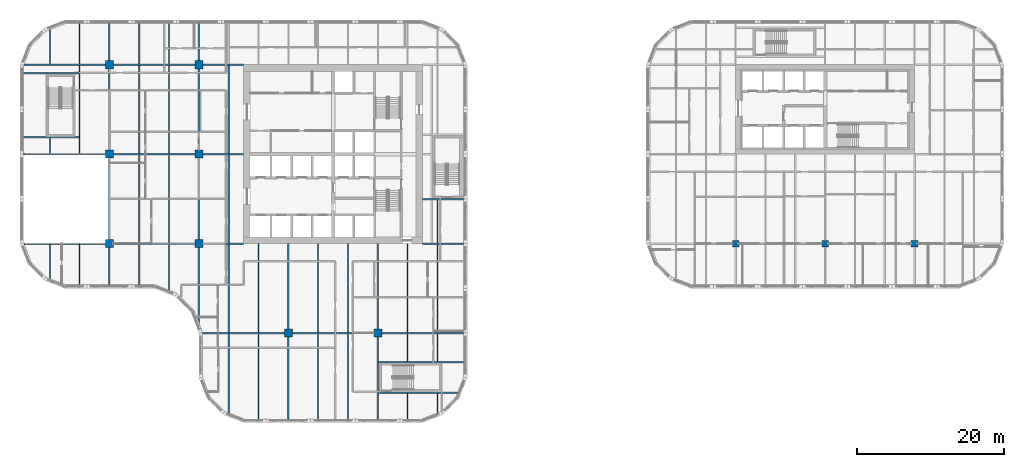
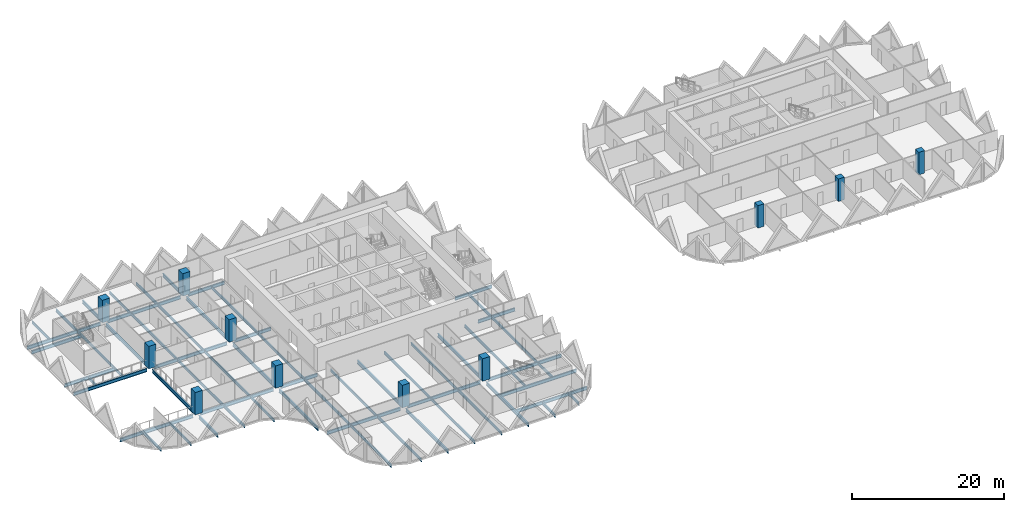
# One storey, part 1 of 19: 61 beams, 11 columns.
"""IFC4 building model written with IfcOpenShell, lengths in metres."""

from ifc_helpers import new_model, si_unit, direction, frame, origin, origin_2d, place, context, subcontext, project, spatial, rectangle, i_section, extrude, material, material_profile, profile_set, type_object, element, save


model = new_model("IFC4")

# Units and contexts
model_context = context("Model", 3, precision=1e-05, world=origin(), true_north=direction((0.0, 1.0)))
body_context = subcontext(model_context, "Body", "Model", "MODEL_VIEW")
ifc_project = project(units=[si_unit("LENGTHUNIT", "METRE"), si_unit("AREAUNIT", "SQUARE_METRE"), si_unit("VOLUMEUNIT", "CUBIC_METRE"), si_unit("PLANEANGLEUNIT", "RADIAN"), si_unit("MASSUNIT", "GRAM", prefix="KILO")], contexts=[model_context])

# Site, building, storey
site_placement = place(None, origin())
site = spatial("IfcSite", under=ifc_project, at=site_placement, CompositionType="ELEMENT")
building_placement = place(site_placement, origin())
building = spatial("IfcBuilding", under=site, at=building_placement, Name="Tessera Gate Towers", CompositionType="ELEMENT")
storey_placement = place(building_placement, frame((0.0, 0.0, 25.800048828125)))
storey = spatial("IfcBuildingStorey", under=building, at=storey_placement, Name="L05", CompositionType="ELEMENT", Elevation=25.800048828125)

# Columns
ifc_material_1 = material(Name="Concrete C70/85", Category="concrete")
ifc_material_profile_1 = material_profile(ifc_material_1, rectangle(XDim=1.10009765625, YDim=1.10009765625, at=origin_2d()), Name="RC 1100x1100")
ifc_profile_set_1 = profile_set([ifc_material_profile_1], Name="Concrete C70/85")
column_type_1 = type_object("IfcColumnType", Name="COLUMN RC 1100x1100", PredefinedType="COLUMN", material=ifc_profile_set_1)
for number, where, z_axis, x_axis, name in (
    (1, (12.199951171875, 24.39990234375, 0.0), (0.0, 0.0, 1.0), (1.0, 0.0, 0.0), "T1-COL-2C-L05"),
    (2, (12.199951171875, 36.60009765625, 0.0), (0.0, 0.0, 1.0), (1.0, 0.0, 0.0), "T1-COL-2D-L05"),
    (3, (12.199951171875, 48.800048828125, 0.0), (0.0, 0.0, 1.0), (1.0, 0.0, 0.0), "T1-COL-2E-L05"),
    (4, (24.39990234375, 24.39990234375, 0.0), (0.0, 0.0, 1.0), (1.0, 0.0, 0.0), "T1-COL-3C-L05"),
    (5, (24.39990234375, 36.60009765625, 0.0), (0.0, 0.0, 1.0), (1.0, 0.0, 0.0), "T1-COL-3D-L05"),
    (6, (24.39990234375, 48.800048828125, 0.0), (0.0, 0.0, 1.0), (1.0, 0.0, 0.0), "T1-COL-3E-L05"),
    (7, (36.60009765625, 12.199951171875, 0.0), (0.0, 0.0, 1.0), (1.0, 0.0, 0.0), "T1-COL-4B-L05"),
    (8, (48.800048828125, 12.199951171875, 0.0), (0.0, 0.0, 1.0), (1.0, 0.0, 0.0), "T1-COL-5B-L05"),
):
    element("IfcColumn", number, at=place(storey_placement, frame(where, z_axis=z_axis, x_axis=x_axis)), inside=storey, type_object=column_type_1, Name=name, PredefinedType="COLUMN", context=body_context, shape_type="SweptSolid", body=[
        extrude(rectangle(XDim=1.10009765625, YDim=1.10009765625, at=origin_2d()), origin(), (0.0, 0.0, 1.0), 3.599853515625),
    ])
ifc_material_2 = material(Name="Concrete C70/85", Category="concrete")
ifc_material_profile_2 = material_profile(ifc_material_2, rectangle(XDim=0.89990234375, YDim=0.89990234375, at=origin_2d()), Name="RC 900x900")
ifc_profile_set_2 = profile_set([ifc_material_profile_2], Name="Concrete C70/85")
column_type_2 = type_object("IfcColumnType", Name="COLUMN RC 900x900", PredefinedType="COLUMN", material=ifc_profile_set_2)
for number, where, z_axis, x_axis, name in (
    (9, (97.60009765625, 24.39990234375, 0.0), (0.0, 0.0, 1.0), (1.0, 0.0, 0.0), "T2-COL-9C-L05"),
    (10, (109.800048828125, 24.39990234375, 0.0), (0.0, 0.0, 1.0), (1.0, 0.0, 0.0), "T2-COL-10C-L05"),
    (11, (122.0, 24.39990234375, 0.0), (0.0, 0.0, 1.0), (1.0, 0.0, 0.0), "T2-COL-11C-L05"),
):
    element("IfcColumn", number, at=place(storey_placement, frame(where, z_axis=z_axis, x_axis=x_axis)), inside=storey, type_object=column_type_2, Name=name, PredefinedType="COLUMN", context=body_context, shape_type="SweptSolid", body=[
        extrude(rectangle(XDim=0.89990234375, YDim=0.89990234375, at=origin_2d()), origin(), (0.0, 0.0, 1.0), 3.599853515625),
    ])

# Beams
ifc_material_3 = material(Name="Steel 350W", Category="steel")
ifc_material_profile_3 = material_profile(ifc_material_3, i_section(OverallWidth=0.208984375, OverallDepth=0.532958984375, WebThickness=0.01025390625, FlangeThickness=0.015625, at=origin_2d()), Name="W530x92")
ifc_profile_set_3 = profile_set([ifc_material_profile_3], Name="Steel 350W")
beam_type_1 = type_object("IfcBeamType", Name="FLOOR GIRDER W530x92", PredefinedType="BEAM", material=ifc_profile_set_3)
beam_1_placement = place(storey_placement, frame((24.89892578125, 12.199951171875, -0.466552734375), z_axis=(1.0, 0.0, 0.0), x_axis=(0.0, 1.0, 0.0)))
element("IfcBeam", 12, at=beam_1_placement, inside=storey, type_object=beam_type_1, Name="T1-GD-L05-919", PredefinedType="BEAM", context=body_context, shape_type="SweptSolid", body=[
    extrude(i_section(OverallWidth=0.208984375, OverallDepth=0.532958984375, WebThickness=0.01025390625, FlangeThickness=0.015625, at=origin_2d()), origin(), (0.0, 0.0, 1.0), 11.151123046875),
])
beam_2_placement = place(storey_placement, frame((37.14990234375, 12.199951171875, -0.466552734375), z_axis=(1.0, 0.0, 0.0), x_axis=(0.0, 1.0, 0.0)))
element("IfcBeam", 13, at=beam_2_placement, inside=storey, type_object=beam_type_1, Name="T1-GD-L05-920", PredefinedType="BEAM", context=body_context, shape_type="SweptSolid", body=[
    extrude(i_section(OverallWidth=0.208984375, OverallDepth=0.532958984375, WebThickness=0.01025390625, FlangeThickness=0.015625, at=origin_2d()), origin(), (0.0, 0.0, 1.0), 11.10009765625),
])
beam_3_placement = place(storey_placement, frame((49.35009765625, 12.199951171875, -0.466552734375), z_axis=(1.0, 0.0, 0.0), x_axis=(0.0, 1.0, 0.0)))
element("IfcBeam", 14, at=beam_3_placement, inside=storey, type_object=beam_type_1, Name="T1-GD-L05-921", PredefinedType="BEAM", context=body_context, shape_type="SweptSolid", body=[
    extrude(i_section(OverallWidth=0.208984375, OverallDepth=0.532958984375, WebThickness=0.01025390625, FlangeThickness=0.015625, at=origin_2d()), origin(), (0.0, 0.0, 1.0), 11.15087890625),
])
beam_4_placement = place(storey_placement, frame((0.534912109375, 24.39990234375, -0.466552734375), z_axis=(1.0, 0.0, 0.0), x_axis=(0.0, 1.0, 0.0)))
element("IfcBeam", 15, at=beam_4_placement, inside=storey, type_object=beam_type_1, Name="T1-GD-L05-922", PredefinedType="BEAM", context=body_context, shape_type="SweptSolid", body=[
    extrude(i_section(OverallWidth=0.208984375, OverallDepth=0.532958984375, WebThickness=0.01025390625, FlangeThickness=0.015625, at=origin_2d()), origin(), (0.0, 0.0, 1.0), 11.114990234375),
])
beam_5_placement = place(storey_placement, frame((12.75, 24.39990234375, -0.466552734375), z_axis=(1.0, 0.0, 0.0), x_axis=(0.0, 1.0, 0.0)))
element("IfcBeam", 16, at=beam_5_placement, inside=storey, type_object=beam_type_1, Name="T1-GD-L05-923", PredefinedType="BEAM", context=body_context, shape_type="SweptSolid", body=[
    extrude(i_section(OverallWidth=0.208984375, OverallDepth=0.532958984375, WebThickness=0.01025390625, FlangeThickness=0.015625, at=origin_2d()), origin(), (0.0, 0.0, 1.0), 11.10009765625),
])
beam_6_placement = place(storey_placement, frame((24.949951171875, 24.39990234375, -0.466552734375), z_axis=(1.0, 0.0, 0.0), x_axis=(0.0, 1.0, 0.0)))
element("IfcBeam", 17, at=beam_6_placement, inside=storey, type_object=beam_type_1, Name="T1-GD-L05-924", PredefinedType="BEAM", context=body_context, shape_type="SweptSolid", body=[
    extrude(i_section(OverallWidth=0.208984375, OverallDepth=0.532958984375, WebThickness=0.01025390625, FlangeThickness=0.015625, at=origin_2d()), origin(), (0.0, 0.0, 1.0), 5.549072265625),
])
beam_7_placement = place(storey_placement, frame((54.90087890625, 24.39990234375, -0.466552734375), z_axis=(1.0, 0.0, 0.0), x_axis=(0.0, 1.0, 0.0)))
element("IfcBeam", 18, at=beam_7_placement, inside=storey, type_object=beam_type_1, Name="T1-GD-L05-925", PredefinedType="BEAM", context=body_context, shape_type="SweptSolid", body=[
    extrude(i_section(OverallWidth=0.208984375, OverallDepth=0.532958984375, WebThickness=0.01025390625, FlangeThickness=0.015625, at=origin_2d()), origin(), (0.0, 0.0, 1.0), 5.60009765625),
])
beam_8_placement = place(storey_placement, frame((0.4990234375, 36.60009765625, -0.466552734375), z_axis=(1.0, 0.0, 0.0), x_axis=(0.0, 1.0, 0.0)))
element("IfcBeam", 19, at=beam_8_placement, inside=storey, type_object=beam_type_1, Name="T1-GD-L05-926", PredefinedType="BEAM", context=body_context, shape_type="SweptSolid", body=[
    extrude(i_section(OverallWidth=0.208984375, OverallDepth=0.532958984375, WebThickness=0.01025390625, FlangeThickness=0.015625, at=origin_2d()), origin(), (0.0, 0.0, 1.0), 11.15087890625),
])
beam_9_placement = place(storey_placement, frame((12.75, 36.60009765625, -0.466552734375), z_axis=(1.0, 0.0, 0.0), x_axis=(0.0, 1.0, 0.0)))
element("IfcBeam", 20, at=beam_9_placement, inside=storey, type_object=beam_type_1, Name="T1-GD-L05-927", PredefinedType="BEAM", context=body_context, shape_type="SweptSolid", body=[
    extrude(i_section(OverallWidth=0.208984375, OverallDepth=0.532958984375, WebThickness=0.01025390625, FlangeThickness=0.015625, at=origin_2d()), origin(), (0.0, 0.0, 1.0), 11.10009765625),
])
beam_10_placement = place(storey_placement, frame((24.949951171875, 36.60009765625, -0.466552734375), z_axis=(1.0, 0.0, 0.0), x_axis=(0.0, 1.0, 0.0)))
element("IfcBeam", 21, at=beam_10_placement, inside=storey, type_object=beam_type_1, Name="T1-GD-L05-928", PredefinedType="BEAM", context=body_context, shape_type="SweptSolid", body=[
    extrude(i_section(OverallWidth=0.208984375, OverallDepth=0.532958984375, WebThickness=0.01025390625, FlangeThickness=0.015625, at=origin_2d()), origin(), (0.0, 0.0, 1.0), 5.551025390625),
])
beam_11_placement = place(storey_placement, frame((0.534912109375, 48.800048828125, -0.466552734375), z_axis=(1.0, 0.0, 0.0), x_axis=(0.0, 1.0, 0.0)))
element("IfcBeam", 22, at=beam_11_placement, inside=storey, type_object=beam_type_1, Name="T1-GD-L05-930", PredefinedType="BEAM", context=body_context, shape_type="SweptSolid", body=[
    extrude(i_section(OverallWidth=0.208984375, OverallDepth=0.532958984375, WebThickness=0.01025390625, FlangeThickness=0.015625, at=origin_2d()), origin(), (0.0, 0.0, 1.0), 11.114990234375),
])
beam_12_placement = place(storey_placement, frame((12.75, 48.800048828125, -0.466552734375), z_axis=(1.0, 0.0, 0.0), x_axis=(0.0, 1.0, 0.0)))
element("IfcBeam", 23, at=beam_12_placement, inside=storey, type_object=beam_type_1, Name="T1-GD-L05-931", PredefinedType="BEAM", context=body_context, shape_type="SweptSolid", body=[
    extrude(i_section(OverallWidth=0.208984375, OverallDepth=0.532958984375, WebThickness=0.01025390625, FlangeThickness=0.015625, at=origin_2d()), origin(), (0.0, 0.0, 1.0), 11.10009765625),
])
beam_13_placement = place(storey_placement, frame((24.949951171875, 48.800048828125, -0.466552734375), z_axis=(1.0, 0.0, 0.0), x_axis=(0.0, 1.0, 0.0)))
element("IfcBeam", 24, at=beam_13_placement, inside=storey, type_object=beam_type_1, Name="T1-GD-L05-932", PredefinedType="BEAM", context=body_context, shape_type="SweptSolid", body=[
    extrude(i_section(OverallWidth=0.208984375, OverallDepth=0.532958984375, WebThickness=0.01025390625, FlangeThickness=0.015625, at=origin_2d()), origin(), (0.0, 0.0, 1.0), 5.549072265625),
])
beam_14_placement = place(storey_placement, frame((12.199951171875, 18.799072265625, -0.466552734375), z_axis=(0.0, 1.0, 0.0), x_axis=(-1.0, 0.0, 0.0)))
element("IfcBeam", 25, at=beam_14_placement, inside=storey, type_object=beam_type_1, Name="T1-GD-L05-934", PredefinedType="BEAM", context=body_context, shape_type="SweptSolid", body=[
    extrude(i_section(OverallWidth=0.208984375, OverallDepth=0.532958984375, WebThickness=0.01025390625, FlangeThickness=0.015625, at=origin_2d()), origin(), (0.0, 0.0, 1.0), 5.051025390625),
])
for number, where, z_axis, x_axis, name in (
    (26, (12.199951171875, 24.949951171875, -0.466552734375), (0.0, 1.0, 0.0), (-1.0, 0.0, 0.0), "T1-GD-L05-935"),
    (27, (12.199951171875, 37.14990234375, -0.466552734375), (0.0, 1.0, 0.0), (-1.0, 0.0, 0.0), "T1-GD-L05-936"),
):
    element("IfcBeam", number, at=place(storey_placement, frame(where, z_axis=z_axis, x_axis=x_axis)), inside=storey, type_object=beam_type_1, Name=name, PredefinedType="BEAM", context=body_context, shape_type="SweptSolid", body=[
        extrude(i_section(OverallWidth=0.208984375, OverallDepth=0.532958984375, WebThickness=0.01025390625, FlangeThickness=0.015625, at=origin_2d()), origin(), (0.0, 0.0, 1.0), 11.10009765625),
    ])
beam_15_placement = place(storey_placement, frame((12.199951171875, 49.35009765625, -0.466552734375), z_axis=(0.0, 1.0, 0.0), x_axis=(-1.0, 0.0, 0.0)))
element("IfcBeam", 28, at=beam_15_placement, inside=storey, type_object=beam_type_1, Name="T1-GD-L05-937", PredefinedType="BEAM", context=body_context, shape_type="SweptSolid", body=[
    extrude(i_section(OverallWidth=0.208984375, OverallDepth=0.532958984375, WebThickness=0.01025390625, FlangeThickness=0.015625, at=origin_2d()), origin(), (0.0, 0.0, 1.0), 5.05078125),
])
beam_16_placement = place(storey_placement, frame((24.39990234375, 13.58642578125, -0.466552734375), z_axis=(0.0, 1.0, 0.0), x_axis=(-1.0, 0.0, 0.0)))
element("IfcBeam", 29, at=beam_16_placement, inside=storey, type_object=beam_type_1, Name="T1-GD-L05-938", PredefinedType="BEAM", context=body_context, shape_type="SweptSolid", body=[
    extrude(i_section(OverallWidth=0.208984375, OverallDepth=0.532958984375, WebThickness=0.01025390625, FlangeThickness=0.015625, at=origin_2d()), origin(), (0.0, 0.0, 1.0), 10.263671875),
])
for number, where, z_axis, x_axis, name in (
    (30, (24.39990234375, 24.949951171875, -0.466552734375), (0.0, 1.0, 0.0), (-1.0, 0.0, 0.0), "T1-GD-L05-939"),
    (31, (24.39990234375, 37.14990234375, -0.466552734375), (0.0, 1.0, 0.0), (-1.0, 0.0, 0.0), "T1-GD-L05-940"),
):
    element("IfcBeam", number, at=place(storey_placement, frame(where, z_axis=z_axis, x_axis=x_axis)), inside=storey, type_object=beam_type_1, Name=name, PredefinedType="BEAM", context=body_context, shape_type="SweptSolid", body=[
        extrude(i_section(OverallWidth=0.208984375, OverallDepth=0.532958984375, WebThickness=0.01025390625, FlangeThickness=0.015625, at=origin_2d()), origin(), (0.0, 0.0, 1.0), 11.10009765625),
    ])
beam_17_placement = place(storey_placement, frame((24.39990234375, 49.35009765625, -0.466552734375), z_axis=(0.0, 1.0, 0.0), x_axis=(-1.0, 0.0, 0.0)))
element("IfcBeam", 32, at=beam_17_placement, inside=storey, type_object=beam_type_1, Name="T1-GD-L05-941", PredefinedType="BEAM", context=body_context, shape_type="SweptSolid", body=[
    extrude(i_section(OverallWidth=0.208984375, OverallDepth=0.532958984375, WebThickness=0.01025390625, FlangeThickness=0.015625, at=origin_2d()), origin(), (0.0, 0.0, 1.0), 5.05078125),
])
beam_18_placement = place(storey_placement, frame((36.60009765625, 0.4990234375, -0.466552734375), z_axis=(0.0, 1.0, 0.0), x_axis=(-1.0, 0.0, 0.0)))
element("IfcBeam", 33, at=beam_18_placement, inside=storey, type_object=beam_type_1, Name="T1-GD-L05-942", PredefinedType="BEAM", context=body_context, shape_type="SweptSolid", body=[
    extrude(i_section(OverallWidth=0.208984375, OverallDepth=0.532958984375, WebThickness=0.01025390625, FlangeThickness=0.015625, at=origin_2d()), origin(), (0.0, 0.0, 1.0), 11.15087890625),
])
beam_19_placement = place(storey_placement, frame((36.60009765625, 12.75, -0.466552734375), z_axis=(0.0, 1.0, 0.0), x_axis=(-1.0, 0.0, 0.0)))
element("IfcBeam", 34, at=beam_19_placement, inside=storey, type_object=beam_type_1, Name="T1-GD-L05-943", PredefinedType="BEAM", context=body_context, shape_type="SweptSolid", body=[
    extrude(i_section(OverallWidth=0.208984375, OverallDepth=0.532958984375, WebThickness=0.01025390625, FlangeThickness=0.015625, at=origin_2d()), origin(), (0.0, 0.0, 1.0), 11.64990234375),
])
beam_20_placement = place(storey_placement, frame((48.800048828125, 0.4990234375, -0.466552734375), z_axis=(0.0, 1.0, 0.0), x_axis=(-1.0, 0.0, 0.0)))
element("IfcBeam", 35, at=beam_20_placement, inside=storey, type_object=beam_type_1, Name="T1-GD-L05-944", PredefinedType="BEAM", context=body_context, shape_type="SweptSolid", body=[
    extrude(i_section(OverallWidth=0.208984375, OverallDepth=0.532958984375, WebThickness=0.01025390625, FlangeThickness=0.015625, at=origin_2d()), origin(), (0.0, 0.0, 1.0), 11.15087890625),
])
beam_21_placement = place(storey_placement, frame((48.800048828125, 12.75, -0.466552734375), z_axis=(0.0, 1.0, 0.0), x_axis=(-1.0, 0.0, 0.0)))
element("IfcBeam", 36, at=beam_21_placement, inside=storey, type_object=beam_type_1, Name="T1-GD-L05-945", PredefinedType="BEAM", context=body_context, shape_type="SweptSolid", body=[
    extrude(i_section(OverallWidth=0.208984375, OverallDepth=0.532958984375, WebThickness=0.01025390625, FlangeThickness=0.015625, at=origin_2d()), origin(), (0.0, 0.0, 1.0), 11.64990234375),
])
for number, where, z_axis, x_axis, name in (
    (37, (0.4990234375, 38.8798828125, -0.466552734375), (1.0, 0.0, 0.0), (0.0, 1.0, 0.0), "T1-GD-L05-946"),
    (38, (0.4990234375, 47.6201171875, -0.466552734375), (1.0, 0.0, 0.0), (0.0, 1.0, 0.0), "T1-GD-L05-947"),
):
    element("IfcBeam", number, at=place(storey_placement, frame(where, z_axis=z_axis, x_axis=x_axis)), inside=storey, type_object=beam_type_1, Name=name, PredefinedType="BEAM", context=body_context, shape_type="SweptSolid", body=[
        extrude(i_section(OverallWidth=0.208984375, OverallDepth=0.532958984375, WebThickness=0.01025390625, FlangeThickness=0.015625, at=origin_2d()), origin(), (0.0, 0.0, 1.0), 7.557861328125),
    ])
beam_22_placement = place(storey_placement, frame((48.87646484375, 4.080078125, -0.466552734375), z_axis=(1.0, 0.0, 0.0), x_axis=(0.0, 1.0, 0.0)))
element("IfcBeam", 39, at=beam_22_placement, inside=storey, type_object=beam_type_1, Name="T1-GD-L05-948", PredefinedType="BEAM", context=body_context, shape_type="SweptSolid", body=[
    extrude(i_section(OverallWidth=0.208984375, OverallDepth=0.532958984375, WebThickness=0.01025390625, FlangeThickness=0.015625, at=origin_2d()), origin(), (0.0, 0.0, 1.0), 10.809326171875),
])
beam_23_placement = place(storey_placement, frame((48.87646484375, 8.219970703125, -0.466552734375), z_axis=(1.0, 0.0, 0.0), x_axis=(0.0, 1.0, 0.0)))
element("IfcBeam", 40, at=beam_23_placement, inside=storey, type_object=beam_type_1, Name="T1-GD-L05-949", PredefinedType="BEAM", context=body_context, shape_type="SweptSolid", body=[
    extrude(i_section(OverallWidth=0.208984375, OverallDepth=0.532958984375, WebThickness=0.01025390625, FlangeThickness=0.015625, at=origin_2d()), origin(), (0.0, 0.0, 1.0), 11.62451171875),
])
beam_24_placement = place(storey_placement, frame((54.89892578125, 30.47998046875, -0.466552734375), z_axis=(1.0, 0.0, 0.0), x_axis=(0.0, 1.0, 0.0)))
element("IfcBeam", 41, at=beam_24_placement, inside=storey, type_object=beam_type_1, Name="T1-GD-L05-950", PredefinedType="BEAM", context=body_context, shape_type="SweptSolid", body=[
    extrude(i_section(OverallWidth=0.208984375, OverallDepth=0.532958984375, WebThickness=0.01025390625, FlangeThickness=0.015625, at=origin_2d()), origin(), (0.0, 0.0, 1.0), 5.60205078125),
])
ifc_material_4 = material(Name="Steel 350W", Category="steel")
ifc_material_profile_4 = material_profile(ifc_material_4, i_section(OverallWidth=0.153076171875, OverallDepth=0.455078125, WebThickness=0.008056640625, FlangeThickness=0.01318359375, at=origin_2d()), Name="W460x60")
ifc_profile_set_4 = profile_set([ifc_material_profile_4], Name="Steel 350W")
beam_type_2 = type_object("IfcBeamType", Name="FLOOR SECONDARY W460x60", PredefinedType="BEAM", material=ifc_profile_set_4)
beam_25_placement = place(storey_placement, frame((4.066650390625, 19.620361328125, -0.427490234375), z_axis=(0.0, 1.0, 0.0), x_axis=(-1.0, 0.0, 0.0)))
element("IfcBeam", 42, at=beam_25_placement, inside=storey, type_object=beam_type_2, Name="T1-BM-L05-953", PredefinedType="BEAM", context=body_context, shape_type="SweptSolid", body=[
    extrude(i_section(OverallWidth=0.153076171875, OverallDepth=0.455078125, WebThickness=0.008056640625, FlangeThickness=0.01318359375, at=origin_2d()), origin(), (0.0, 0.0, 1.0), 4.779541015625),
])
beam_26_placement = place(storey_placement, frame((4.066650390625, 36.70458984375, -0.427490234375), z_axis=(0.0, 1.0, 0.0), x_axis=(-1.0, 0.0, 0.0)))
element("IfcBeam", 43, at=beam_26_placement, inside=storey, type_object=beam_type_2, Name="T1-BM-L05-954", PredefinedType="BEAM", context=body_context, shape_type="SweptSolid", body=[
    extrude(i_section(OverallWidth=0.153076171875, OverallDepth=0.455078125, WebThickness=0.008056640625, FlangeThickness=0.01318359375, at=origin_2d()), origin(), (0.0, 0.0, 1.0), 2.07080078125),
])
beam_27_placement = place(storey_placement, frame((4.066650390625, 48.904541015625, -0.427490234375), z_axis=(0.0, 1.0, 0.0), x_axis=(-1.0, 0.0, 0.0)))
element("IfcBeam", 44, at=beam_27_placement, inside=storey, type_object=beam_type_2, Name="T1-BM-L05-955", PredefinedType="BEAM", context=body_context, shape_type="SweptSolid", body=[
    extrude(i_section(OverallWidth=0.153076171875, OverallDepth=0.455078125, WebThickness=0.008056640625, FlangeThickness=0.01318359375, at=origin_2d()), origin(), (0.0, 0.0, 1.0), 4.675048828125),
])
beam_28_placement = place(storey_placement, frame((8.13330078125, 18.800048828125, -0.427490234375), z_axis=(0.0, 1.0, 0.0), x_axis=(-1.0, 0.0, 0.0)))
element("IfcBeam", 45, at=beam_28_placement, inside=storey, type_object=beam_type_2, Name="T1-BM-L05-956", PredefinedType="BEAM", context=body_context, shape_type="SweptSolid", body=[
    extrude(i_section(OverallWidth=0.153076171875, OverallDepth=0.455078125, WebThickness=0.008056640625, FlangeThickness=0.01318359375, at=origin_2d()), origin(), (0.0, 0.0, 1.0), 5.599853515625),
])
beam_29_placement = place(storey_placement, frame((8.13330078125, 36.70458984375, -0.427490234375), z_axis=(0.0, 1.0, 0.0), x_axis=(-1.0, 0.0, 0.0)))
element("IfcBeam", 46, at=beam_29_placement, inside=storey, type_object=beam_type_2, Name="T1-BM-L05-957", PredefinedType="BEAM", context=body_context, shape_type="SweptSolid", body=[
    extrude(i_section(OverallWidth=0.153076171875, OverallDepth=0.455078125, WebThickness=0.008056640625, FlangeThickness=0.01318359375, at=origin_2d()), origin(), (0.0, 0.0, 1.0), 11.990966796875),
])
for number, where, z_axis, x_axis, name in (
    (47, (8.13330078125, 48.904541015625, -0.427490234375), (0.0, 1.0, 0.0), (-1.0, 0.0, 0.0), "T1-BM-L05-958"),
    (48, (16.2666015625, 18.800048828125, -0.427490234375), (0.0, 1.0, 0.0), (-1.0, 0.0, 0.0), "T1-BM-L05-959"),
):
    element("IfcBeam", number, at=place(storey_placement, frame(where, z_axis=z_axis, x_axis=x_axis)), inside=storey, type_object=beam_type_2, Name=name, PredefinedType="BEAM", context=body_context, shape_type="SweptSolid", body=[
        extrude(i_section(OverallWidth=0.153076171875, OverallDepth=0.455078125, WebThickness=0.008056640625, FlangeThickness=0.01318359375, at=origin_2d()), origin(), (0.0, 0.0, 1.0), 5.495361328125),
    ])
beam_30_placement = place(storey_placement, frame((16.2666015625, 24.50439453125, -0.427490234375), z_axis=(0.0, 1.0, 0.0), x_axis=(-1.0, 0.0, 0.0)))
element("IfcBeam", 49, at=beam_30_placement, inside=storey, type_object=beam_type_2, Name="T1-BM-L05-960", PredefinedType="BEAM", context=body_context, shape_type="SweptSolid", body=[
    extrude(i_section(OverallWidth=0.153076171875, OverallDepth=0.455078125, WebThickness=0.008056640625, FlangeThickness=0.01318359375, at=origin_2d()), origin(), (0.0, 0.0, 1.0), 11.9912109375),
])
beam_31_placement = place(storey_placement, frame((16.2666015625, 36.70458984375, -0.427490234375), z_axis=(0.0, 1.0, 0.0), x_axis=(-1.0, 0.0, 0.0)))
element("IfcBeam", 50, at=beam_31_placement, inside=storey, type_object=beam_type_2, Name="T1-BM-L05-961", PredefinedType="BEAM", context=body_context, shape_type="SweptSolid", body=[
    extrude(i_section(OverallWidth=0.153076171875, OverallDepth=0.455078125, WebThickness=0.008056640625, FlangeThickness=0.01318359375, at=origin_2d()), origin(), (0.0, 0.0, 1.0), 11.990966796875),
])
beam_32_placement = place(storey_placement, frame((16.2666015625, 48.904541015625, -0.427490234375), z_axis=(0.0, 1.0, 0.0), x_axis=(-1.0, 0.0, 0.0)))
element("IfcBeam", 51, at=beam_32_placement, inside=storey, type_object=beam_type_2, Name="T1-BM-L05-962", PredefinedType="BEAM", context=body_context, shape_type="SweptSolid", body=[
    extrude(i_section(OverallWidth=0.153076171875, OverallDepth=0.455078125, WebThickness=0.008056640625, FlangeThickness=0.01318359375, at=origin_2d()), origin(), (0.0, 0.0, 1.0), 5.495361328125),
])
beam_33_placement = place(storey_placement, frame((20.333251953125, 18.051513671875, -0.427490234375), z_axis=(0.0, 1.0, 0.0), x_axis=(-1.0, 0.0, 0.0)))
element("IfcBeam", 52, at=beam_33_placement, inside=storey, type_object=beam_type_2, Name="T1-BM-L05-963", PredefinedType="BEAM", context=body_context, shape_type="SweptSolid", body=[
    extrude(i_section(OverallWidth=0.153076171875, OverallDepth=0.455078125, WebThickness=0.008056640625, FlangeThickness=0.01318359375, at=origin_2d()), origin(), (0.0, 0.0, 1.0), 6.243896484375),
])
beam_34_placement = place(storey_placement, frame((20.333251953125, 24.50439453125, -0.427490234375), z_axis=(0.0, 1.0, 0.0), x_axis=(-1.0, 0.0, 0.0)))
element("IfcBeam", 53, at=beam_34_placement, inside=storey, type_object=beam_type_2, Name="T1-BM-L05-964", PredefinedType="BEAM", context=body_context, shape_type="SweptSolid", body=[
    extrude(i_section(OverallWidth=0.153076171875, OverallDepth=0.455078125, WebThickness=0.008056640625, FlangeThickness=0.01318359375, at=origin_2d()), origin(), (0.0, 0.0, 1.0), 11.9912109375),
])
beam_35_placement = place(storey_placement, frame((20.333251953125, 36.70458984375, -0.427490234375), z_axis=(0.0, 1.0, 0.0), x_axis=(-1.0, 0.0, 0.0)))
element("IfcBeam", 54, at=beam_35_placement, inside=storey, type_object=beam_type_2, Name="T1-BM-L05-965", PredefinedType="BEAM", context=body_context, shape_type="SweptSolid", body=[
    extrude(i_section(OverallWidth=0.153076171875, OverallDepth=0.455078125, WebThickness=0.008056640625, FlangeThickness=0.01318359375, at=origin_2d()), origin(), (0.0, 0.0, 1.0), 11.990966796875),
])
beam_36_placement = place(storey_placement, frame((20.333251953125, 48.904541015625, -0.427490234375), z_axis=(0.0, 1.0, 0.0), x_axis=(-1.0, 0.0, 0.0)))
element("IfcBeam", 55, at=beam_36_placement, inside=storey, type_object=beam_type_2, Name="T1-BM-L05-966", PredefinedType="BEAM", context=body_context, shape_type="SweptSolid", body=[
    extrude(i_section(OverallWidth=0.153076171875, OverallDepth=0.455078125, WebThickness=0.008056640625, FlangeThickness=0.01318359375, at=origin_2d()), origin(), (0.0, 0.0, 1.0), 5.495361328125),
])
beam_37_placement = place(storey_placement, frame((28.466796875, 1.3203125, -0.427490234375), z_axis=(0.0, 1.0, 0.0), x_axis=(-1.0, 0.0, 0.0)))
element("IfcBeam", 56, at=beam_37_placement, inside=storey, type_object=beam_type_2, Name="T1-BM-L05-967", PredefinedType="BEAM", context=body_context, shape_type="SweptSolid", body=[
    extrude(i_section(OverallWidth=0.153076171875, OverallDepth=0.455078125, WebThickness=0.008056640625, FlangeThickness=0.01318359375, at=origin_2d()), origin(), (0.0, 0.0, 1.0), 10.775146484375),
])
beam_38_placement = place(storey_placement, frame((28.466796875, 12.304443359375, -0.427490234375), z_axis=(0.0, 1.0, 0.0), x_axis=(-1.0, 0.0, 0.0)))
element("IfcBeam", 57, at=beam_38_placement, inside=storey, type_object=beam_type_2, Name="T1-BM-L05-968", PredefinedType="BEAM", context=body_context, shape_type="SweptSolid", body=[
    extrude(i_section(OverallWidth=0.153076171875, OverallDepth=0.455078125, WebThickness=0.008056640625, FlangeThickness=0.01318359375, at=origin_2d()), origin(), (0.0, 0.0, 1.0), 11.990966796875),
])
beam_39_placement = place(storey_placement, frame((28.466796875, 24.50439453125, -0.427490234375), z_axis=(0.0, 1.0, 0.0), x_axis=(-1.0, 0.0, 0.0)))
element("IfcBeam", 58, at=beam_39_placement, inside=storey, type_object=beam_type_2, Name="T1-BM-L05-969", PredefinedType="BEAM", context=body_context, shape_type="SweptSolid", body=[
    extrude(i_section(OverallWidth=0.153076171875, OverallDepth=0.455078125, WebThickness=0.008056640625, FlangeThickness=0.01318359375, at=origin_2d()), origin(), (0.0, 0.0, 1.0), 11.9912109375),
])
beam_40_placement = place(storey_placement, frame((28.466796875, 36.70458984375, -0.427490234375), z_axis=(0.0, 1.0, 0.0), x_axis=(-1.0, 0.0, 0.0)))
element("IfcBeam", 59, at=beam_40_placement, inside=storey, type_object=beam_type_2, Name="T1-BM-L05-970", PredefinedType="BEAM", context=body_context, shape_type="SweptSolid", body=[
    extrude(i_section(OverallWidth=0.153076171875, OverallDepth=0.455078125, WebThickness=0.008056640625, FlangeThickness=0.01318359375, at=origin_2d()), origin(), (0.0, 0.0, 1.0), 11.990966796875),
])
beam_41_placement = place(storey_placement, frame((32.533203125, 0.5, -0.427490234375), z_axis=(0.0, 1.0, 0.0), x_axis=(-1.0, 0.0, 0.0)))
element("IfcBeam", 60, at=beam_41_placement, inside=storey, type_object=beam_type_2, Name="T1-BM-L05-972", PredefinedType="BEAM", context=body_context, shape_type="SweptSolid", body=[
    extrude(i_section(OverallWidth=0.153076171875, OverallDepth=0.455078125, WebThickness=0.008056640625, FlangeThickness=0.01318359375, at=origin_2d()), origin(), (0.0, 0.0, 1.0), 11.595458984375),
])
beam_42_placement = place(storey_placement, frame((32.533203125, 12.304443359375, -0.427490234375), z_axis=(0.0, 1.0, 0.0), x_axis=(-1.0, 0.0, 0.0)))
element("IfcBeam", 61, at=beam_42_placement, inside=storey, type_object=beam_type_2, Name="T1-BM-L05-973", PredefinedType="BEAM", context=body_context, shape_type="SweptSolid", body=[
    extrude(i_section(OverallWidth=0.153076171875, OverallDepth=0.455078125, WebThickness=0.008056640625, FlangeThickness=0.01318359375, at=origin_2d()), origin(), (0.0, 0.0, 1.0), 12.095458984375),
])
beam_43_placement = place(storey_placement, frame((40.666748046875, 0.5, -0.427490234375), z_axis=(0.0, 1.0, 0.0), x_axis=(-1.0, 0.0, 0.0)))
element("IfcBeam", 62, at=beam_43_placement, inside=storey, type_object=beam_type_2, Name="T1-BM-L05-976", PredefinedType="BEAM", context=body_context, shape_type="SweptSolid", body=[
    extrude(i_section(OverallWidth=0.153076171875, OverallDepth=0.455078125, WebThickness=0.008056640625, FlangeThickness=0.01318359375, at=origin_2d()), origin(), (0.0, 0.0, 1.0), 11.595458984375),
])
beam_44_placement = place(storey_placement, frame((40.666748046875, 12.304443359375, -0.427490234375), z_axis=(0.0, 1.0, 0.0), x_axis=(-1.0, 0.0, 0.0)))
element("IfcBeam", 63, at=beam_44_placement, inside=storey, type_object=beam_type_2, Name="T1-BM-L05-977", PredefinedType="BEAM", context=body_context, shape_type="SweptSolid", body=[
    extrude(i_section(OverallWidth=0.153076171875, OverallDepth=0.455078125, WebThickness=0.008056640625, FlangeThickness=0.01318359375, at=origin_2d()), origin(), (0.0, 0.0, 1.0), 12.095458984375),
])
beam_45_placement = place(storey_placement, frame((44.7333984375, 0.5, -0.427490234375), z_axis=(0.0, 1.0, 0.0), x_axis=(-1.0, 0.0, 0.0)))
element("IfcBeam", 64, at=beam_45_placement, inside=storey, type_object=beam_type_2, Name="T1-BM-L05-979", PredefinedType="BEAM", context=body_context, shape_type="SweptSolid", body=[
    extrude(i_section(OverallWidth=0.153076171875, OverallDepth=0.455078125, WebThickness=0.008056640625, FlangeThickness=0.01318359375, at=origin_2d()), origin(), (0.0, 0.0, 1.0), 11.595458984375),
])
beam_46_placement = place(storey_placement, frame((44.7333984375, 12.304443359375, -0.427490234375), z_axis=(0.0, 1.0, 0.0), x_axis=(-1.0, 0.0, 0.0)))
element("IfcBeam", 65, at=beam_46_placement, inside=storey, type_object=beam_type_2, Name="T1-BM-L05-980", PredefinedType="BEAM", context=body_context, shape_type="SweptSolid", body=[
    extrude(i_section(OverallWidth=0.153076171875, OverallDepth=0.455078125, WebThickness=0.008056640625, FlangeThickness=0.01318359375, at=origin_2d()), origin(), (0.0, 0.0, 1.0), 12.095458984375),
])
beam_47_placement = place(storey_placement, frame((52.86669921875, 0.5, -0.427490234375), z_axis=(0.0, 1.0, 0.0), x_axis=(-1.0, 0.0, 0.0)))
element("IfcBeam", 66, at=beam_47_placement, inside=storey, type_object=beam_type_2, Name="T1-BM-L05-983", PredefinedType="BEAM", context=body_context, shape_type="SweptSolid", body=[
    extrude(i_section(OverallWidth=0.153076171875, OverallDepth=0.455078125, WebThickness=0.008056640625, FlangeThickness=0.01318359375, at=origin_2d()), origin(), (0.0, 0.0, 1.0), 3.4755859375),
])
beam_48_placement = place(storey_placement, frame((52.86669921875, 8.324462890625, -0.427490234375), z_axis=(0.0, 1.0, 0.0), x_axis=(-1.0, 0.0, 0.0)))
element("IfcBeam", 67, at=beam_48_placement, inside=storey, type_object=beam_type_2, Name="T1-BM-L05-984", PredefinedType="BEAM", context=body_context, shape_type="SweptSolid", body=[
    extrude(i_section(OverallWidth=0.153076171875, OverallDepth=0.455078125, WebThickness=0.008056640625, FlangeThickness=0.01318359375, at=origin_2d()), origin(), (0.0, 0.0, 1.0), 3.77099609375),
])
beam_49_placement = place(storey_placement, frame((52.86669921875, 12.304443359375, -0.427490234375), z_axis=(0.0, 1.0, 0.0), x_axis=(-1.0, 0.0, 0.0)))
element("IfcBeam", 68, at=beam_49_placement, inside=storey, type_object=beam_type_2, Name="T1-BM-L05-985", PredefinedType="BEAM", context=body_context, shape_type="SweptSolid", body=[
    extrude(i_section(OverallWidth=0.153076171875, OverallDepth=0.455078125, WebThickness=0.008056640625, FlangeThickness=0.01318359375, at=origin_2d()), origin(), (0.0, 0.0, 1.0), 12.095458984375),
])
beam_50_placement = place(storey_placement, frame((56.933349609375, 1.3203125, -0.427490234375), z_axis=(0.0, 1.0, 0.0), x_axis=(-1.0, 0.0, 0.0)))
element("IfcBeam", 69, at=beam_50_placement, inside=storey, type_object=beam_type_2, Name="T1-BM-L05-987", PredefinedType="BEAM", context=body_context, shape_type="SweptSolid", body=[
    extrude(i_section(OverallWidth=0.153076171875, OverallDepth=0.455078125, WebThickness=0.008056640625, FlangeThickness=0.01318359375, at=origin_2d()), origin(), (0.0, 0.0, 1.0), 2.6552734375),
])
beam_51_placement = place(storey_placement, frame((56.933349609375, 8.324462890625, -0.427490234375), z_axis=(0.0, 1.0, 0.0), x_axis=(-1.0, 0.0, 0.0)))
element("IfcBeam", 70, at=beam_51_placement, inside=storey, type_object=beam_type_2, Name="T1-BM-L05-988", PredefinedType="BEAM", context=body_context, shape_type="SweptSolid", body=[
    extrude(i_section(OverallWidth=0.153076171875, OverallDepth=0.455078125, WebThickness=0.008056640625, FlangeThickness=0.01318359375, at=origin_2d()), origin(), (0.0, 0.0, 1.0), 3.77099609375),
])
beam_52_placement = place(storey_placement, frame((56.933349609375, 12.304443359375, -0.427490234375), z_axis=(0.0, 1.0, 0.0), x_axis=(-1.0, 0.0, 0.0)))
element("IfcBeam", 71, at=beam_52_placement, inside=storey, type_object=beam_type_2, Name="T1-BM-L05-989", PredefinedType="BEAM", context=body_context, shape_type="SweptSolid", body=[
    extrude(i_section(OverallWidth=0.153076171875, OverallDepth=0.455078125, WebThickness=0.008056640625, FlangeThickness=0.01318359375, at=origin_2d()), origin(), (0.0, 0.0, 1.0), 11.990966796875),
])
beam_53_placement = place(storey_placement, frame((56.933349609375, 24.50439453125, -0.427490234375), z_axis=(0.0, 1.0, 0.0), x_axis=(-1.0, 0.0, 0.0)))
element("IfcBeam", 72, at=beam_53_placement, inside=storey, type_object=beam_type_2, Name="T1-BM-L05-990", PredefinedType="BEAM", context=body_context, shape_type="SweptSolid", body=[
    extrude(i_section(OverallWidth=0.153076171875, OverallDepth=0.455078125, WebThickness=0.008056640625, FlangeThickness=0.01318359375, at=origin_2d()), origin(), (0.0, 0.0, 1.0), 5.87109375),
])

save(model, "model.ifc")
